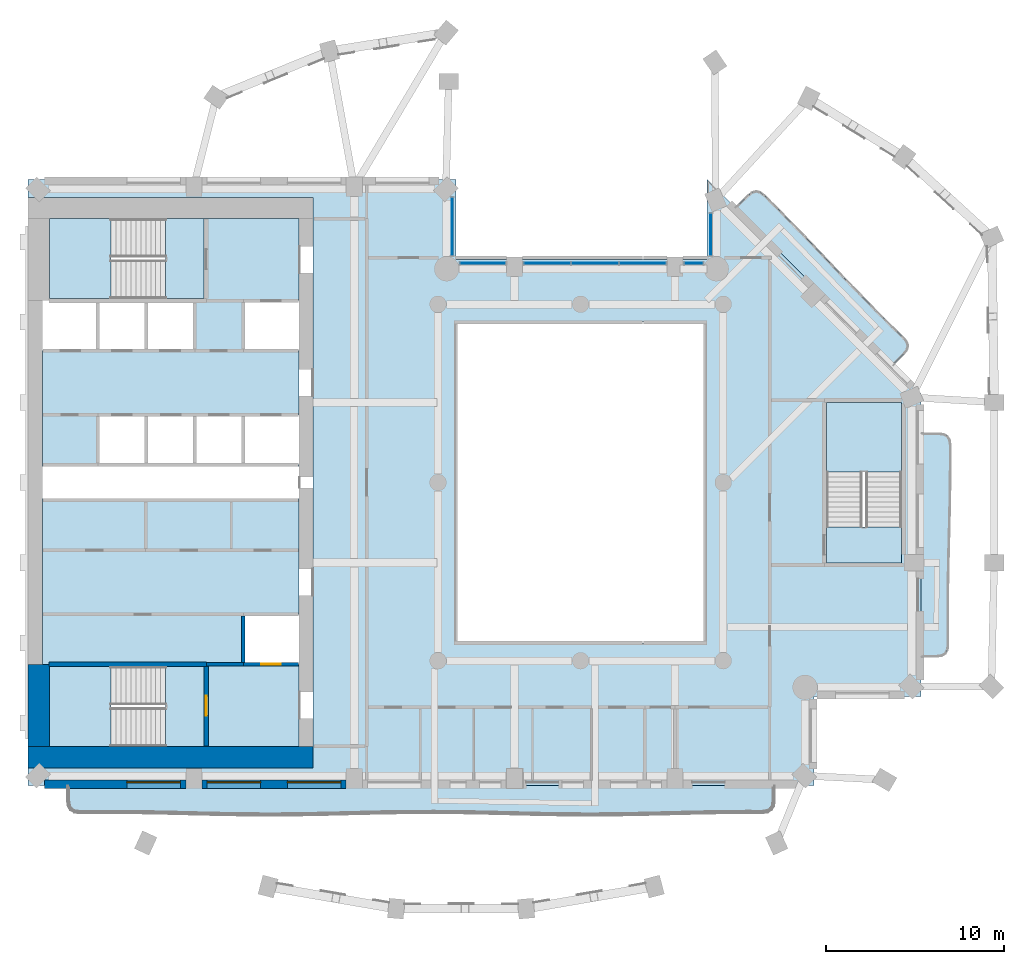
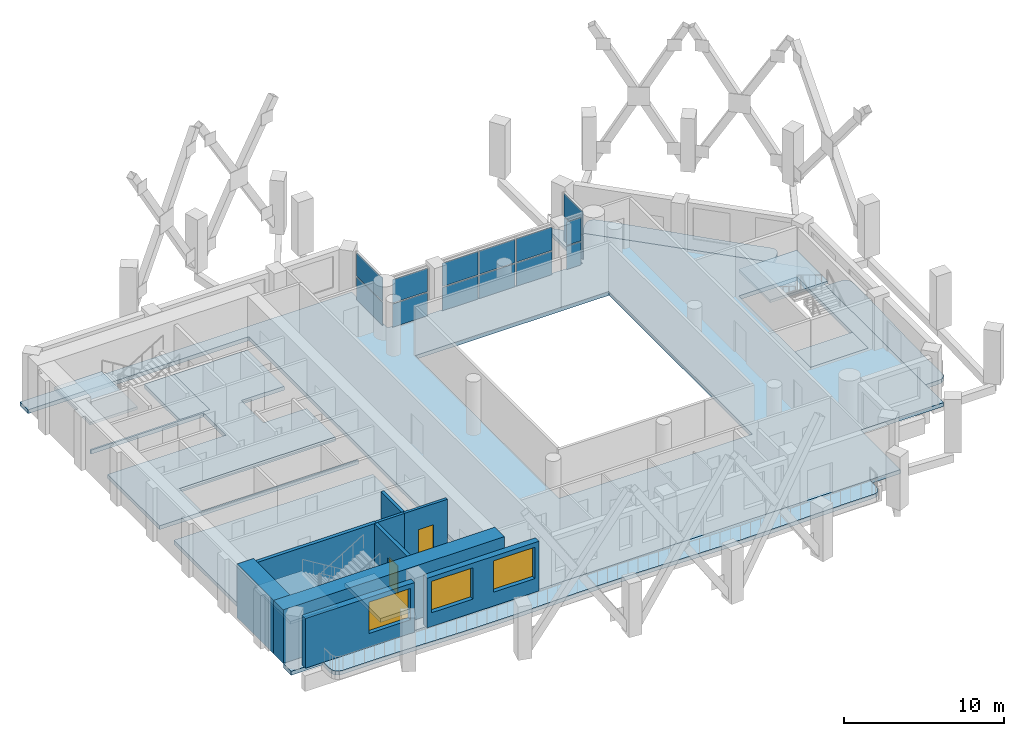
# One storey, part 3 of 15: 14 plates, 12 slabs, 9 walls, 3 windows, 2 doors, 5 openings, 8 elements without a shape of their own.
"""IFC4 building model written with IfcOpenShell, lengths in metres."""

from ifc_helpers import new_model, si_unit, direction, frame, frame_2d, origin, origin_2d, place, context, subcontext, project, spatial, polyline, rectangle, outline, extrude, material, layer, layer_set, type_object, element, fill, aggregate, save


model = new_model("IFC4")

# Units and contexts
model_context = context("Model", 3, precision=1e-05, world=origin(), true_north=direction((0.0, 1.0)))
body_context = subcontext(model_context, "Body", "Model", "MODEL_VIEW")
ifc_project = project(units=[si_unit("LENGTHUNIT", "METRE"), si_unit("AREAUNIT", "SQUARE_METRE"), si_unit("VOLUMEUNIT", "CUBIC_METRE"), si_unit("PLANEANGLEUNIT", "RADIAN"), si_unit("MASSUNIT", "GRAM", prefix="KILO")], contexts=[model_context])

# Site, building, storey
site_placement = place(None, origin())
site = spatial("IfcSite", under=ifc_project, at=site_placement, CompositionType="ELEMENT")
building_placement = place(site_placement, origin())
building = spatial("IfcBuilding", under=site, at=building_placement, Name="Cypress Arch Tower", CompositionType="ELEMENT")
storey_placement = place(building_placement, frame((0.0, 0.0, 205.60009765625)))
storey = spatial("IfcBuildingStorey", under=building, at=storey_placement, Name="L45", CompositionType="ELEMENT", Elevation=205.60009765625)

# Slabs
ifc_material_1 = material(Name="Concrete C40/50", Category="concrete")
ifc_layer_1 = layer(ifc_material_1, 0.300048828125)
ifc_layer_set_1 = layer_set([ifc_layer_1], Name="Balcony slab BS300")
slab_type_1 = type_object("IfcSlabType", Name="Balcony slab BS300", PredefinedType="USERDEFINED", material=ifc_layer_set_1)
slab_1_placement = place(storey_placement, frame((0.0, 0.0, -0.300048828125)))
element("IfcSlab", 1, at=slab_1_placement, inside=storey, type_object=slab_type_1, Name="Balcony slab L45-B01", ObjectType="BALCONY SLAB", PredefinedType="USERDEFINED", context=body_context, shape_type="SweptSolid", body=[
    extrude(outline(polyline([(-27.75, -17.0), (-27.75, -17.861083984375), (-27.708740234375, -18.1494140625), (-27.5849609375, -18.35400390625), (-27.378662109375, -18.475341796875), (-27.090087890625, -18.512939453125), (-26.283447265625, -18.502685546875), (-24.816650390625, -18.501953125), (-23.35009765625, -18.51953125), (-21.88330078125, -18.55029296875), (-20.416748046875, -18.5869140625), (-18.949951171875, -18.619873046875), (-17.4833984375, -18.640380859375), (-16.0166015625, -18.6435546875), (-14.550048828125, -18.62841796875), (-13.083251953125, -18.59912109375), (-11.61669921875, -18.562744140625), (-10.14990234375, -18.52880859375), (-8.683349609375, -18.506103515625), (-7.216552734375, -18.500244140625), (-5.75, -18.51318359375), (-4.283447265625, -18.541015625), (-2.816650390625, -18.576904296875), (-1.35009765625, -18.61181640625), (0.11669921875, -18.636474609375), (1.583251953125, -18.64453125), (3.050048828125, -18.63427734375), (4.5166015625, -18.608154296875), (5.9833984375, -18.57275390625), (7.449951171875, -18.537353515625), (8.916748046875, -18.5107421875), (10.38330078125, -18.5), (11.18994140625, -18.50439453125), (11.478759765625, -18.464599609375), (11.68505859375, -18.342041015625), (11.808837890625, -18.136474609375), (11.85009765625, -17.847900390625), (11.85009765625, -17.0), (-27.75, -17.0)])), origin(), (0.0, 0.0, 1.0), 0.300048828125),
])
slab_2_placement = place(storey_placement, frame((0.0, 0.0, -0.300048828125)))
element("IfcSlab", 2, at=slab_2_placement, inside=storey, type_object=slab_type_1, Name="Balcony slab L45-B04", ObjectType="BALCONY SLAB", PredefinedType="USERDEFINED", context=body_context, shape_type="SweptSolid", body=[
    extrude(outline(polyline([(20.10009765625, -9.75), (20.99609375, -9.75), (21.26904296875, -9.7109375), (21.462890625, -9.59375), (21.57763671875, -9.3984375), (21.613037109375, -9.125), (21.603271484375, -8.361083984375), (21.601318359375, -6.97216796875), (21.615478515625, -5.583251953125), (21.64306640625, -4.1943359375), (21.67724609375, -2.8056640625), (21.710205078125, -1.416748046875), (21.734619140625, -0.02783203125), (21.74462890625, 1.361083984375), (21.740966796875, 2.125), (21.700439453125, 2.3984375), (21.582275390625, 2.59375), (21.386474609375, 2.7109375), (21.11279296875, 2.75), (20.10009765625, 2.75), (20.10009765625, -9.75)])), origin(), (0.0, 0.0, 1.0), 0.300048828125),
])
slab_3_placement = place(storey_placement, frame((0.0, 0.0, -0.300048828125)))
element("IfcSlab", 3, at=slab_3_placement, inside=storey, type_object=slab_type_1, Name="Balcony slab L45-B05", ObjectType="BALCONY SLAB", PredefinedType="USERDEFINED", context=body_context, shape_type="SweptSolid", body=[
    extrude(outline(polyline([(18.509033203125, 6.591064453125), (19.143798828125, 7.2255859375), (19.30859375, 7.44580078125), (19.36279296875, 7.665283203125), (19.305908203125, 7.8837890625), (19.137939453125, 8.101806640625), (18.59228515625, 8.6337890625), (17.61083984375, 9.612060546875), (16.641357421875, 10.601806640625), (15.6806640625, 11.60107421875), (14.72509765625, 12.60498046875), (13.7685546875, 13.60791015625), (12.80615234375, 14.60498046875), (11.83349609375, 15.592041015625), (11.292236328125, 16.12841796875), (11.071044921875, 16.29296875), (10.849853515625, 16.347412109375), (10.62890625, 16.2919921875), (10.408447265625, 16.12646484375), (9.69091796875, 15.408935546875), (18.509033203125, 6.591064453125)])), origin(), (0.0, 0.0, 1.0), 0.300048828125),
])
ifc_material_2 = material(Name="Concrete C40/50", Category="concrete")
ifc_layer_2 = layer(ifc_material_2, 0.300048828125)
ifc_layer_set_2 = layer_set([ifc_layer_2], Name="Core floor CF300")
slab_type_2 = type_object("IfcSlabType", Name="Core floor CF300", PredefinedType="FLOOR", material=ifc_layer_set_2)
slab_4_placement = place(storey_placement, frame((0.0, 0.0, -0.300048828125)))
element("IfcSlab", 4, at=slab_4_placement, inside=storey, type_object=slab_type_2, Name="Core floor", PredefinedType="FLOOR", context=body_context, shape_type="SweptSolid", body=[
    extrude(outline(polyline([(-28.800048828125, -10.199951171875), (-29.199951171875, -10.199951171875), (-29.199951171875, -0.89990234375), (-15.199951171875, -0.89990234375), (-14.800048828125, -0.89990234375), (-14.800048828125, -7.39990234375), (-15.199951171875, -7.39990234375), (-17.919921875, -7.39990234375), (-17.919921875, -10.199951171875), (-15.199951171875, -10.199951171875), (-14.800048828125, -10.199951171875), (-14.800048828125, -14.800048828125), (-15.199951171875, -14.800048828125), (-20.125, -14.800048828125), (-20.125, -10.324951171875), (-22.27490234375, -10.324951171875), (-28.800048828125, -10.324951171875), (-28.800048828125, -10.199951171875)])), origin(), (0.0, 0.0, 1.0), 0.300048828125),
])
slab_5_placement = place(storey_placement, frame((0.0, 0.0, -0.300048828125)))
element("IfcSlab", 5, at=slab_5_placement, inside=storey, type_object=slab_type_2, Name="Core floor", PredefinedType="FLOOR", context=body_context, shape_type="SweptSolid", body=[
    extrude(outline(polyline([(-22.27490234375, -10.324951171875), (-22.27490234375, -14.800048828125), (-20.125, -14.800048828125), (-20.125, -10.324951171875), (-22.27490234375, -10.324951171875)])), origin(), (0.0, 0.0, 1.0), 0.300048828125),
])
slab_6_placement = place(storey_placement, frame((0.0, 0.0, -0.300048828125)))
element("IfcSlab", 6, at=slab_6_placement, inside=storey, type_object=slab_type_2, Name="Core floor", PredefinedType="FLOOR", context=body_context, shape_type="SweptSolid", body=[
    extrude(outline(polyline([(-20.125, 14.800048828125), (-22.27490234375, 14.800048828125), (-22.27490234375, 10.324951171875), (-20.125, 10.324951171875), (-20.125, 14.800048828125)])), origin(), (0.0, 0.0, 1.0), 0.300048828125),
])
slab_7_placement = place(storey_placement, frame((0.0, 0.0, -0.300048828125)))
element("IfcSlab", 7, at=slab_7_placement, inside=storey, type_object=slab_type_2, Name="Stair floor landing", PredefinedType="FLOOR", context=body_context, shape_type="SweptSolid", body=[
    extrude(outline(polyline([(19.0, -4.5), (19.0, -2.5), (14.800048828125, -2.5), (14.800048828125, -4.5), (19.0, -4.5)])), origin(), (0.0, 0.0, 1.0), 0.300048828125),
])
slab_8_placement = place(storey_placement, frame((0.0, 0.0, -0.300048828125)))
element("IfcSlab", 8, at=slab_8_placement, inside=storey, type_object=slab_type_2, Name="Core floor", PredefinedType="FLOOR", context=body_context, shape_type="SweptSolid", body=[
    extrude(outline(polyline([(-20.639892578125, 7.39990234375), (-20.639892578125, 10.199951171875), (-23.360107421875, 10.199951171875), (-26.080078125, 10.199951171875), (-28.800048828125, 10.199951171875), (-28.800048828125, 10.324951171875), (-22.27490234375, 10.324951171875), (-20.125, 10.324951171875), (-20.125, 14.800048828125), (-15.199951171875, 14.800048828125), (-14.800048828125, 14.800048828125), (-14.800048828125, 10.199951171875), (-15.199951171875, 10.199951171875), (-17.919921875, 10.199951171875), (-17.919921875, 7.39990234375), (-15.199951171875, 7.39990234375), (-14.800048828125, 7.39990234375), (-14.800048828125, 3.800048828125), (-15.199951171875, 3.800048828125), (-17.919921875, 3.800048828125), (-20.639892578125, 3.800048828125), (-23.360107421875, 3.800048828125), (-26.080078125, 3.800048828125), (-26.080078125, 1.5), (-26.080078125, 1.5), (-26.080078125, 1.0), (-25.679931640625, 1.0), (-23.360107421875, 1.0), (-20.639892578125, 1.0), (-17.919921875, 1.0), (-15.199951171875, 1.0), (-14.800048828125, 1.0), (-14.800048828125, 0.89990234375), (-15.199951171875, 0.89990234375), (-25.679931640625, 0.89990234375), (-26.47998046875, 0.89990234375), (-29.199951171875, 0.89990234375), (-29.199951171875, 1.5), (-29.199951171875, 7.39990234375), (-26.080078125, 7.39990234375), (-23.360107421875, 7.39990234375), (-20.639892578125, 7.39990234375)])), origin(), (0.0, 0.0, 1.0), 0.300048828125),
])

# Curtain wall, plates
ifc_material_3 = material(Name="Anodised aluminium, bronze finish, clear laminated double glazing", Category="aluminium")
curtain_wall_type = type_object("IfcCurtainWallType", Name="Curtain wall CW7 slot glazing", PredefinedType="NOTDEFINED", material=ifc_material_3)
curtain_wall_1_placement = place(storey_placement, origin())
curtain_wall_1 = element("IfcCurtainWall", 9, at=curtain_wall_1_placement, inside=storey, type_object=curtain_wall_type, Name="Curtain wall L45 slot B06.0", PredefinedType="NOTDEFINED")
ifc_material_4 = material(Name="Clear laminated double glazing", Category="glass")
ifc_layer_3 = layer(ifc_material_4, 0.0439453125)
ifc_layer_set_3 = layer_set([ifc_layer_3], Name="Glass panel CW7 44")
plate_type = type_object("IfcPlateType", Name="Glass panel CW7 44", PredefinedType="CURTAIN_PANEL", material=ifc_layer_set_3)
plate_1_placement = place(storey_placement, frame((8.300048828125, 13.912353515625, 0.0849609375), z_axis=(0.0, 0.0, 1.0), x_axis=(0.0, -1.0, 0.0)))
plate_1 = element("IfcPlate", 10, at=plate_1_placement, type_object=plate_type, Name="CW7 panel 1.1", PredefinedType="CURTAIN_PANEL", context=body_context, shape_type="SweptSolid", body=[
    extrude(rectangle(XDim=2.345458984375, YDim=0.0439453125, at=origin_2d()), origin(), (0.0, 0.0, 1.0), 1.7724609375),
])
plate_2_placement = place(storey_placement, frame((8.300048828125, 13.912353515625, 1.9423828125), z_axis=(0.0, 0.0, 1.0), x_axis=(0.0, -1.0, 0.0)))
plate_2 = element("IfcPlate", 11, at=plate_2_placement, type_object=plate_type, Name="CW7 panel 1.2", PredefinedType="CURTAIN_PANEL", context=body_context, shape_type="SweptSolid", body=[
    extrude(rectangle(XDim=2.345458984375, YDim=0.0439453125, at=origin_2d()), origin(), (0.0, 0.0, 1.0), 1.7724609375),
])
aggregate(curtain_wall_1, [plate_1, plate_2])

curtain_wall_2_placement = place(storey_placement, origin())
curtain_wall_2 = element("IfcCurtainWall", 12, at=curtain_wall_2_placement, inside=storey, type_object=curtain_wall_type, Name="Curtain wall L45 slot B07.0", PredefinedType="NOTDEFINED")
plate_3_placement = place(storey_placement, frame((7.34765625, 12.300048828125, 0.0849609375), z_axis=(0.0, 0.0, 1.0), x_axis=(-1.0, 0.0, 0.0)))
plate_3 = element("IfcPlate", 13, at=plate_3_placement, type_object=plate_type, Name="CW7 panel 1.1", PredefinedType="CURTAIN_PANEL", context=body_context, shape_type="SweptSolid", body=[
    extrude(rectangle(XDim=1.025390625, YDim=0.0439453125, at=origin_2d()), origin(), (0.0, 0.0, 1.0), 1.7724609375),
])
plate_4_placement = place(storey_placement, frame((7.34765625, 12.300048828125, 1.9423828125), z_axis=(0.0, 0.0, 1.0), x_axis=(-1.0, 0.0, 0.0)))
plate_4 = element("IfcPlate", 14, at=plate_4_placement, type_object=plate_type, Name="CW7 panel 1.2", PredefinedType="CURTAIN_PANEL", context=body_context, shape_type="SweptSolid", body=[
    extrude(rectangle(XDim=1.025390625, YDim=0.0439453125, at=origin_2d()), origin(), (0.0, 0.0, 1.0), 1.7724609375),
])
aggregate(curtain_wall_2, [plate_3, plate_4])

curtain_wall_3_placement = place(storey_placement, origin())
curtain_wall_3 = element("IfcCurtainWall", 15, at=curtain_wall_3_placement, inside=storey, type_object=curtain_wall_type, Name="Curtain wall L45 slot B07.1", PredefinedType="NOTDEFINED")
plate_5_placement = place(storey_placement, frame((4.478759765625, 12.300048828125, 0.0849609375), z_axis=(0.0, 0.0, 1.0), x_axis=(-1.0, 0.0, 0.0)))
plate_5 = element("IfcPlate", 16, at=plate_5_placement, type_object=plate_type, Name="CW7 panel 1.1", PredefinedType="CURTAIN_PANEL", context=body_context, shape_type="SweptSolid", body=[
    extrude(rectangle(XDim=2.572509765625, YDim=0.0439453125, at=origin_2d()), origin(), (0.0, 0.0, 1.0), 1.7724609375),
])
plate_6_placement = place(storey_placement, frame((4.478759765625, 12.300048828125, 1.9423828125), z_axis=(0.0, 0.0, 1.0), x_axis=(-1.0, 0.0, 0.0)))
plate_6 = element("IfcPlate", 17, at=plate_6_placement, type_object=plate_type, Name="CW7 panel 1.2", PredefinedType="CURTAIN_PANEL", context=body_context, shape_type="SweptSolid", body=[
    extrude(rectangle(XDim=2.572509765625, YDim=0.0439453125, at=origin_2d()), origin(), (0.0, 0.0, 1.0), 1.7724609375),
])
plate_7_placement = place(storey_placement, frame((1.800048828125, 12.300048828125, 0.0849609375), z_axis=(0.0, 0.0, 1.0), x_axis=(-1.0, 0.0, 0.0)))
plate_7 = element("IfcPlate", 18, at=plate_7_placement, type_object=plate_type, Name="CW7 panel 2.1", PredefinedType="CURTAIN_PANEL", context=body_context, shape_type="SweptSolid", body=[
    extrude(rectangle(XDim=2.614990234375, YDim=0.0439453125, at=origin_2d()), origin(), (0.0, 0.0, 1.0), 1.7724609375),
])
plate_8_placement = place(storey_placement, frame((1.800048828125, 12.300048828125, 1.9423828125), z_axis=(0.0, 0.0, 1.0), x_axis=(-1.0, 0.0, 0.0)))
plate_8 = element("IfcPlate", 19, at=plate_8_placement, type_object=plate_type, Name="CW7 panel 2.2", PredefinedType="CURTAIN_PANEL", context=body_context, shape_type="SweptSolid", body=[
    extrude(rectangle(XDim=2.614990234375, YDim=0.0439453125, at=origin_2d()), origin(), (0.0, 0.0, 1.0), 1.7724609375),
])
plate_9_placement = place(storey_placement, frame((-0.878662109375, 12.300048828125, 0.0849609375), z_axis=(0.0, 0.0, 1.0), x_axis=(-1.0, 0.0, 0.0)))
plate_9 = element("IfcPlate", 20, at=plate_9_placement, type_object=plate_type, Name="CW7 panel 3.1", PredefinedType="CURTAIN_PANEL", context=body_context, shape_type="SweptSolid", body=[
    extrude(rectangle(XDim=2.572509765625, YDim=0.0439453125, at=origin_2d()), origin(), (0.0, 0.0, 1.0), 1.7724609375),
])
plate_10_placement = place(storey_placement, frame((-0.878662109375, 12.300048828125, 1.9423828125), z_axis=(0.0, 0.0, 1.0), x_axis=(-1.0, 0.0, 0.0)))
plate_10 = element("IfcPlate", 21, at=plate_10_placement, type_object=plate_type, Name="CW7 panel 3.2", PredefinedType="CURTAIN_PANEL", context=body_context, shape_type="SweptSolid", body=[
    extrude(rectangle(XDim=2.572509765625, YDim=0.0439453125, at=origin_2d()), origin(), (0.0, 0.0, 1.0), 1.7724609375),
])
aggregate(curtain_wall_3, [plate_5, plate_6, plate_7, plate_8, plate_9, plate_10])

curtain_wall_4_placement = place(storey_placement, origin())
curtain_wall_4 = element("IfcCurtainWall", 22, at=curtain_wall_4_placement, inside=storey, type_object=curtain_wall_type, Name="Curtain wall L45 slot B07.2", PredefinedType="NOTDEFINED")
plate_11_placement = place(storey_placement, frame((-4.497802734375, 12.300048828125, 0.0849609375), z_axis=(0.0, 0.0, 1.0), x_axis=(-1.0, 0.0, 0.0)))
plate_11 = element("IfcPlate", 23, at=plate_11_placement, type_object=plate_type, Name="CW7 panel 1.1", PredefinedType="CURTAIN_PANEL", context=body_context, shape_type="SweptSolid", body=[
    extrude(rectangle(XDim=2.525390625, YDim=0.0439453125, at=origin_2d()), origin(), (0.0, 0.0, 1.0), 1.7724609375),
])
plate_12_placement = place(storey_placement, frame((-4.497802734375, 12.300048828125, 1.9423828125), z_axis=(0.0, 0.0, 1.0), x_axis=(-1.0, 0.0, 0.0)))
plate_12 = element("IfcPlate", 24, at=plate_12_placement, type_object=plate_type, Name="CW7 panel 1.2", PredefinedType="CURTAIN_PANEL", context=body_context, shape_type="SweptSolid", body=[
    extrude(rectangle(XDim=2.525390625, YDim=0.0439453125, at=origin_2d()), origin(), (0.0, 0.0, 1.0), 1.7724609375),
])
aggregate(curtain_wall_4, [plate_11, plate_12])

curtain_wall_5_placement = place(storey_placement, origin())
curtain_wall_5 = element("IfcCurtainWall", 25, at=curtain_wall_5_placement, inside=storey, type_object=curtain_wall_type, Name="Curtain wall L45 slot B08.0", PredefinedType="NOTDEFINED")
plate_13_placement = place(storey_placement, frame((-6.199951171875, 14.359130859375, 0.0849609375), z_axis=(0.0, 0.0, 1.0), x_axis=(0.0, 1.0, 0.0)))
plate_13 = element("IfcPlate", 26, at=plate_13_placement, type_object=plate_type, Name="CW7 panel 1.1", PredefinedType="CURTAIN_PANEL", context=body_context, shape_type="SweptSolid", body=[
    extrude(rectangle(XDim=3.239013671875, YDim=0.0439453125, at=origin_2d()), origin(), (0.0, 0.0, 1.0), 1.7724609375),
])
plate_14_placement = place(storey_placement, frame((-6.199951171875, 14.359130859375, 1.9423828125), z_axis=(0.0, 0.0, 1.0), x_axis=(0.0, 1.0, 0.0)))
plate_14 = element("IfcPlate", 27, at=plate_14_placement, type_object=plate_type, Name="CW7 panel 1.2", PredefinedType="CURTAIN_PANEL", context=body_context, shape_type="SweptSolid", body=[
    extrude(rectangle(XDim=3.239013671875, YDim=0.0439453125, at=origin_2d()), origin(), (0.0, 0.0, 1.0), 1.7724609375),
])
aggregate(curtain_wall_5, [plate_13, plate_14])

# Slab
ifc_material_5 = material(Name="Concrete C40/50", Category="concrete")
ifc_layer_4 = layer(ifc_material_5, 0.300048828125)
ifc_layer_set_4 = layer_set([ifc_layer_4], Name="PT flat slab 300 Concrete C40/50")
slab_type_3 = type_object("IfcSlabType", Name="PT flat slab 300 Concrete C40/50", PredefinedType="FLOOR", material=ifc_layer_set_4)
slab_9_placement = place(storey_placement, frame((0.0, 0.0, -0.300048828125)))
element("IfcSlab", 28, at=slab_9_placement, inside=storey, type_object=slab_type_3, Name="Floor slab L45", PredefinedType="FLOOR", context=body_context, shape_type="SweptSolid", body=[
    extrude(outline(polyline([(-30.0, 17.0), (-6.0, 17.0), (-6.0, 12.5), (8.10009765625, 12.5), (8.10009765625, 17.0), (20.10009765625, 5.0), (20.10009765625, -12.0), (14.10009765625, -12.0), (14.10009765625, -17.0), (-30.0, -17.0), (-30.0, -16.0), (-14.0, -16.0), (-14.0, 16.0), (-30.0, 16.0), (-30.0, 17.0)]), holes=[polyline([(-6.0, -9.0), (8.0, -9.0), (8.0, 9.0), (-6.0, 9.0), (-6.0, -9.0)]), polyline([(14.800048828125, -4.5), (19.0, -4.5), (19.0, 4.5), (14.800048828125, 4.5), (14.800048828125, -4.5)])]), origin(), (0.0, 0.0, 1.0), 0.300048828125),
])

# Stair, slab
ifc_material_6 = material(Name="Concrete C40/50", Category="concrete")
stair_type_1 = type_object("IfcStairType", Name="Exit stair ES1708-215", PredefinedType="HALF_TURN_STAIR", material=ifc_material_6)
stair_1_placement = place(storey_placement, origin())
stair_1 = element("IfcStair", 29, at=stair_1_placement, inside=storey, type_object=stair_type_1, Name="L45 Exit stair A", PredefinedType="HALF_TURN_STAIR")
ifc_material_7 = material(Name="Concrete C40/50", Category="concrete")
ifc_layer_5 = layer(ifc_material_7, 0.199951171875)
ifc_layer_set_5 = layer_set([ifc_layer_5], Name="Stair landing SL200")
slab_type_4 = type_object("IfcSlabType", Name="Stair landing SL200", PredefinedType="LANDING", material=ifc_layer_set_5)
slab_10_placement = place(storey_placement, frame((0.0, 0.0, 1.849853515625)))
slab_10 = element("IfcSlab", 30, at=slab_10_placement, type_object=slab_type_4, Name="A landing 1", PredefinedType="LANDING", context=body_context, shape_type="SweptSolid", body=[
    extrude(outline(polyline([(-25.35498046875, -10.324951171875), (-28.800048828125, -10.324951171875), (-28.800048828125, -14.800048828125), (-25.35498046875, -14.800048828125), (-25.35498046875, -10.324951171875)])), origin(), (0.0, 0.0, 1.0), 0.199951171875),
])
aggregate(stair_1, [slab_10])

stair_2_placement = place(storey_placement, origin())
stair_2 = element("IfcStair", 31, at=stair_2_placement, inside=storey, type_object=stair_type_1, Name="L45 Exit stair B", PredefinedType="HALF_TURN_STAIR")
slab_11_placement = place(storey_placement, frame((0.0, 0.0, 1.849853515625)))
slab_11 = element("IfcSlab", 32, at=slab_11_placement, type_object=slab_type_4, Name="B landing 1", PredefinedType="LANDING", context=body_context, shape_type="SweptSolid", body=[
    extrude(outline(polyline([(-25.35498046875, 14.800048828125), (-28.800048828125, 14.800048828125), (-28.800048828125, 10.324951171875), (-25.35498046875, 10.324951171875), (-25.35498046875, 14.800048828125)])), origin(), (0.0, 0.0, 1.0), 0.199951171875),
])
aggregate(stair_2, [slab_11])

ifc_material_8 = material(Name="Concrete C40/50", Category="concrete")
stair_type_2 = type_object("IfcStairType", Name="Exit stair ES1708-200", PredefinedType="HALF_TURN_STAIR", material=ifc_material_8)
stair_3_placement = place(storey_placement, origin())
stair_3 = element("IfcStair", 33, at=stair_3_placement, inside=storey, type_object=stair_type_2, Name="L45 Exit stair C", PredefinedType="HALF_TURN_STAIR")
slab_12_placement = place(storey_placement, frame((0.0, 0.0, 1.849853515625)))
slab_12 = element("IfcSlab", 34, at=slab_12_placement, type_object=slab_type_4, Name="C landing 1", PredefinedType="LANDING", context=body_context, shape_type="SweptSolid", body=[
    extrude(outline(polyline([(19.0, 0.580078125), (19.0, 4.5), (14.800048828125, 4.5), (14.800048828125, 0.580078125), (19.0, 0.580078125)])), origin(), (0.0, 0.0, 1.0), 0.199951171875),
])
aggregate(stair_3, [slab_12])

# Wall, opening, window
ifc_material_9 = material(Name="Brick (red buff blend)", Category="masonry")
ifc_layer_6 = layer(ifc_material_9, 0.449951171875)
ifc_layer_set_6 = layer_set([ifc_layer_6], Name="Brick pier and spandrel wall BW450")
wall_type_1 = type_object("IfcWallType", Name="Brick pier and spandrel wall BW450", PredefinedType="SOLIDWALL", material=ifc_layer_set_6)
wall_1_placement = place(storey_placement, frame((-29.063720703125, -16.925048828125, 0.0), z_axis=(0.0, 0.0, 1.0), x_axis=(1.0, 0.0, 0.0)))
wall_1 = element("IfcWall", 35, at=wall_1_placement, inside=storey, type_object=wall_type_1, Name="Brick wall L45 B01.0", PredefinedType="SOLIDWALL", context=body_context, shape_type="SweptSolid", body=[
    extrude(rectangle(XDim=7.913818359375, YDim=0.449951171875, at=frame_2d((3.95703125, 0.0))), origin(), (0.0, 0.0, 1.0), 3.7998046875),
])
opening_1_placement = place(wall_1_placement, frame((4.613525390625, 0.0, 1.050048828125)))
opening_1 = element("IfcOpeningElement", 36, at=opening_1_placement, cuts=wall_1, Name="Opening W300OD", PredefinedType="OPENING", context=body_context, shape_type="SweptSolid", body=[
    extrude(rectangle(XDim=3.0, YDim=2.39990234375, at=frame_2d((1.5, 1.199951171875))), frame((0.0, 0.23486328125, 0.0), z_axis=(0.0, -1.0, 0.0), x_axis=(1.0, 0.0, 0.0)), (0.0, 0.0, 1.0), 0.469970703125),
])
ifc_material_10 = material(Name="Anodised aluminium, bronze finish, laminated low-emissivity double glazing, large-missile impact rated", Category="aluminium")
window_type = type_object("IfcWindowType", Name="Window Office 3000x2400 debris-rated", PartitioningType="SINGLE_PANEL", PredefinedType="WINDOW", material=ifc_material_10)
window_1_placement = place(opening_1_placement, origin())
window_1 = element("IfcWindow", 37, at=window_1_placement, inside=storey, type_object=window_type, Name="Window L45 B01.0.2", OverallHeight=2.39990234375, OverallWidth=3.0, PartitioningType="SINGLE_PANEL", PredefinedType="WINDOW", context=body_context, shape_type="SweptSolid", body=[
    extrude(rectangle(XDim=3.0, YDim=2.39990234375, at=frame_2d((1.5, 1.199951171875))), frame((0.0, 0.135009765625, 0.0), z_axis=(0.0, -1.0, 0.0), x_axis=(1.0, 0.0, 0.0)), (0.0, 0.0, 1.0), 0.06005859375),
])
fill(opening_1, window_1)

# Wall, openings, windows
wall_2_placement = place(storey_placement, frame((-20.25, -16.925048828125, 0.0), z_axis=(0.0, 0.0, 1.0), x_axis=(1.0, 0.0, 0.0)))
wall_2 = element("IfcWall", 38, at=wall_2_placement, inside=storey, type_object=wall_type_1, Name="Brick wall L45 B01.1", PredefinedType="SOLIDWALL", context=body_context, shape_type="SweptSolid", body=[
    extrude(rectangle(XDim=8.10009765625, YDim=0.449951171875, at=frame_2d((4.050048828125, 0.0))), origin(), (0.0, 0.0, 1.0), 3.7998046875),
])
opening_2_placement = place(wall_2_placement, frame((0.300048828125, 0.0, 1.050048828125)))
opening_2 = element("IfcOpeningElement", 39, at=opening_2_placement, cuts=wall_2, Name="Opening W300OD", PredefinedType="OPENING", context=body_context, shape_type="SweptSolid", body=[
    extrude(rectangle(XDim=3.0, YDim=2.39990234375, at=frame_2d((1.5, 1.199951171875))), frame((0.0, 0.23486328125, 0.0), z_axis=(0.0, -1.0, 0.0), x_axis=(1.0, 0.0, 0.0)), (0.0, 0.0, 1.0), 0.469970703125),
])
opening_3_placement = place(wall_2_placement, frame((4.800048828125, 0.0, 1.050048828125)))
opening_3 = element("IfcOpeningElement", 40, at=opening_3_placement, cuts=wall_2, Name="Opening W300OD", PredefinedType="OPENING", context=body_context, shape_type="SweptSolid", body=[
    extrude(rectangle(XDim=3.0, YDim=2.39990234375, at=frame_2d((1.5, 1.199951171875))), frame((0.0, 0.23486328125, 0.0), z_axis=(0.0, -1.0, 0.0), x_axis=(1.0, 0.0, 0.0)), (0.0, 0.0, 1.0), 0.469970703125),
])
window_2_placement = place(opening_2_placement, origin())
window_2 = element("IfcWindow", 41, at=window_2_placement, inside=storey, type_object=window_type, Name="Window L45 B01.1.1", OverallHeight=2.39990234375, OverallWidth=3.0, PartitioningType="SINGLE_PANEL", PredefinedType="WINDOW", context=body_context, shape_type="SweptSolid", body=[
    extrude(rectangle(XDim=3.0, YDim=2.39990234375, at=frame_2d((1.5, 1.199951171875))), frame((0.0, 0.135009765625, 0.0), z_axis=(0.0, -1.0, 0.0), x_axis=(1.0, 0.0, 0.0)), (0.0, 0.0, 1.0), 0.06005859375),
])
fill(opening_2, window_2)
window_3_placement = place(opening_3_placement, origin())
window_3 = element("IfcWindow", 42, at=window_3_placement, inside=storey, type_object=window_type, Name="Window L45 B01.1.2", OverallHeight=2.39990234375, OverallWidth=3.0, PartitioningType="SINGLE_PANEL", PredefinedType="WINDOW", context=body_context, shape_type="SweptSolid", body=[
    extrude(rectangle(XDim=3.0, YDim=2.39990234375, at=frame_2d((1.5, 1.199951171875))), frame((0.0, 0.135009765625, 0.0), z_axis=(0.0, -1.0, 0.0), x_axis=(1.0, 0.0, 0.0)), (0.0, 0.0, 1.0), 0.06005859375),
])
fill(opening_3, window_3)

# Walls
ifc_material_11 = material(Name="Concrete C70/85", Category="concrete")
ifc_layer_7 = layer(ifc_material_11, 1.199951171875)
ifc_layer_set_7 = layer_set([ifc_layer_7], Name="Core wall CW1200 C70/85")
wall_type_2 = type_object("IfcWallType", Name="Core wall CW1200 C70/85", PredefinedType="SHEAR", material=ifc_layer_set_7)
wall_3_placement = place(storey_placement, frame((-30.0, -15.39990234375, 0.0), z_axis=(0.0, 0.0, 1.0), x_axis=(1.0, 0.0, 0.0)))
element("IfcWall", 43, at=wall_3_placement, inside=storey, type_object=wall_type_2, Name="Core wall", PredefinedType="SHEAR", context=body_context, shape_type="SweptSolid", body=[
    extrude(rectangle(XDim=16.0, YDim=1.199951171875, at=frame_2d((8.0, 0.0))), origin(), (0.0, 0.0, 1.0), 4.099853515625),
])
wall_4_placement = place(storey_placement, frame((-29.39990234375, -14.800048828125, 0.0), z_axis=(0.0, 0.0, 1.0), x_axis=(0.0, 1.0, 0.0)))
element("IfcWall", 44, at=wall_4_placement, inside=storey, type_object=wall_type_2, Name="Core wall", PredefinedType="SHEAR", context=body_context, shape_type="SweptSolid", body=[
    extrude(rectangle(XDim=4.60009765625, YDim=1.199951171875, at=frame_2d((2.300048828125, 0.0))), origin(), (0.0, 0.0, 1.0), 4.099853515625),
])
ifc_material_12 = material(Name="Reinforced blockwork, plastered, rated", Category="masonry")
ifc_layer_8 = layer(ifc_material_12, 0.199951171875)
ifc_layer_set_8 = layer_set([ifc_layer_8], Name="Plant and riser wall PL200")
wall_type_3 = type_object("IfcWallType", Name="Plant and riser wall PL200", PredefinedType="PARTITIONING", material=ifc_layer_set_8)
wall_5_placement = place(storey_placement, frame((-20.0, -10.199951171875, 0.0), z_axis=(0.0, 0.0, 1.0), x_axis=(1.0, 0.0, 0.0)))
element("IfcWall", 45, at=wall_5_placement, inside=storey, type_object=wall_type_3, Name="Plant and riser wall", PredefinedType="PARTITIONING", context=body_context, shape_type="SweptSolid", body=[
    extrude(rectangle(XDim=2.080078125, YDim=0.199951171875, at=frame_2d((1.0400390625, 0.0))), origin(), (0.0, 0.0, 1.0), 3.7998046875),
])
ifc_material_13 = material(Name="Concrete C50/60", Category="concrete")
ifc_layer_9 = layer(ifc_material_13, 0.199951171875)
ifc_layer_set_9 = layer_set([ifc_layer_9], Name="Shaft wall SH200")
wall_type_4 = type_object("IfcWallType", Name="Shaft wall SH200", PredefinedType="SHEAR", material=ifc_layer_set_9)
wall_6_placement = place(storey_placement, frame((-17.919921875, -10.10009765625, 0.0), z_axis=(0.0, 0.0, 1.0), x_axis=(0.0, 1.0, 0.0)))
element("IfcWall", 46, at=wall_6_placement, inside=storey, type_object=wall_type_4, Name="Shaft wall", PredefinedType="SHEAR", context=body_context, shape_type="SweptSolid", body=[
    extrude(rectangle(XDim=2.60009765625, YDim=0.199951171875, at=frame_2d((1.300048828125, 0.0))), origin(), (0.0, 0.0, 1.0), 3.7998046875),
])

# Wall, opening, door
wall_7_placement = place(storey_placement, frame((-17.919921875, -10.199951171875, 0.0), z_axis=(0.0, 0.0, 1.0), x_axis=(1.0, 0.0, 0.0)))
wall_7 = element("IfcWall", 47, at=wall_7_placement, inside=storey, type_object=wall_type_4, Name="Shaft wall", PredefinedType="SHEAR", context=body_context, shape_type="SweptSolid", body=[
    extrude(rectangle(XDim=3.08984375, YDim=0.199951171875, at=frame_2d((1.544921875, 0.0))), origin(), (0.0, 0.0, 1.0), 3.7998046875),
])
opening_4_placement = place(wall_7_placement, frame((1.0, 0.0, 0.0)))
opening_4 = element("IfcOpeningElement", 48, at=opening_4_placement, cuts=wall_7, Name="Opening LD-FL1", PredefinedType="OPENING", context=body_context, shape_type="SweptSolid", body=[
    extrude(rectangle(XDim=1.10009765625, YDim=2.199951171875, at=frame_2d((0.550048828125, 1.10009765625))), frame((0.0, 0.10986328125, 0.0), z_axis=(0.0, -1.0, 0.0), x_axis=(1.0, 0.0, 0.0)), (0.0, 0.0, 1.0), 0.219970703125),
])
ifc_material_14 = material(Name="Stainless steel centre-opening landing door, rated", Category="steel")
door_type_1 = type_object("IfcDoorType", Name="Lift landing door LD 1100x2200", OperationType="DOUBLE_DOOR_SLIDING", PredefinedType="DOOR", material=ifc_material_14)
door_1_placement = place(opening_4_placement, origin())
door_1 = element("IfcDoor", 49, at=door_1_placement, inside=storey, type_object=door_type_1, Name="Lift landing doors FL1", OperationType="DOUBLE_DOOR_SLIDING", OverallHeight=2.199951171875, OverallWidth=1.10009765625, PredefinedType="DOOR", context=body_context, shape_type="SweptSolid", body=[
    extrude(rectangle(XDim=1.10009765625, YDim=2.199951171875, at=frame_2d((0.550048828125, 1.10009765625))), frame((0.0, 0.02490234375, 0.0), z_axis=(0.0, -1.0, 0.0), x_axis=(1.0, 0.0, 0.0)), (0.0, 0.0, 1.0), 0.050048828125),
])
fill(opening_4, door_1)

# Wall
ifc_material_15 = material(Name="Concrete C50/60", Category="concrete")
ifc_layer_10 = layer(ifc_material_15, 0.25)
ifc_layer_set_10 = layer_set([ifc_layer_10], Name="Stair enclosure wall SW250")
wall_type_5 = type_object("IfcWallType", Name="Stair enclosure wall SW250", PredefinedType="SHEAR", material=ifc_layer_set_10)
wall_8_placement = place(storey_placement, frame((-28.81005859375, -10.199951171875, 0.0), z_axis=(0.0, 0.0, 1.0), x_axis=(1.0, 0.0, 0.0)))
element("IfcWall", 50, at=wall_8_placement, inside=storey, type_object=wall_type_5, Name="Stair enclosure wall", PredefinedType="SHEAR", context=body_context, shape_type="SweptSolid", body=[
    extrude(rectangle(XDim=8.81005859375, YDim=0.25, at=frame_2d((4.405029296875, 0.0))), origin(), (0.0, 0.0, 1.0), 3.7998046875),
])

# Wall, opening, door
wall_9_placement = place(storey_placement, frame((-20.0, -14.77001953125, 0.0), z_axis=(0.0, 0.0, 1.0), x_axis=(0.0, 1.0, 0.0)))
wall_9 = element("IfcWall", 51, at=wall_9_placement, inside=storey, type_object=wall_type_5, Name="Stair enclosure wall", PredefinedType="SHEAR", context=body_context, shape_type="SweptSolid", body=[
    extrude(rectangle(XDim=4.445068359375, YDim=0.25, at=frame_2d((2.22265625, 0.0))), origin(), (0.0, 0.0, 1.0), 3.7998046875),
])
opening_5_placement = place(wall_9_placement, frame((1.699951171875, 0.0, 0.0)))
opening_5 = element("IfcOpeningElement", 52, at=opening_5_placement, cuts=wall_9, Name="Opening D06", PredefinedType="OPENING", context=body_context, shape_type="SweptSolid", body=[
    extrude(rectangle(XDim=1.10009765625, YDim=2.199951171875, at=frame_2d((0.550048828125, 1.10009765625))), frame((0.0, 0.135009765625, 0.0), z_axis=(0.0, -1.0, 0.0), x_axis=(1.0, 0.0, 0.0)), (0.0, 0.0, 1.0), 0.27001953125),
])
ifc_material_16 = material(Name="Steel door, fire resisting, panic bar", Category="steel")
door_type_2 = type_object("IfcDoorType", Name="Stair door D06 1100x2200", OperationType="SINGLE_SWING_LEFT", PredefinedType="DOOR", material=ifc_material_16)
door_2_placement = place(opening_5_placement, origin())
door_2 = element("IfcDoor", 53, at=door_2_placement, inside=storey, type_object=door_type_2, Name="Stair door", OperationType="SINGLE_SWING_RIGHT", OverallHeight=2.199951171875, OverallWidth=1.10009765625, PredefinedType="DOOR", context=body_context, shape_type="SweptSolid", body=[
    extrude(rectangle(XDim=1.10009765625, YDim=2.199951171875, at=frame_2d((0.550048828125, 1.10009765625))), frame((0.0, 0.02490234375, 0.0), z_axis=(0.0, -1.0, 0.0), x_axis=(1.0, 0.0, 0.0)), (0.0, 0.0, 1.0), 0.050048828125),
])
fill(opening_5, door_2)

save(model, "model.ifc")
